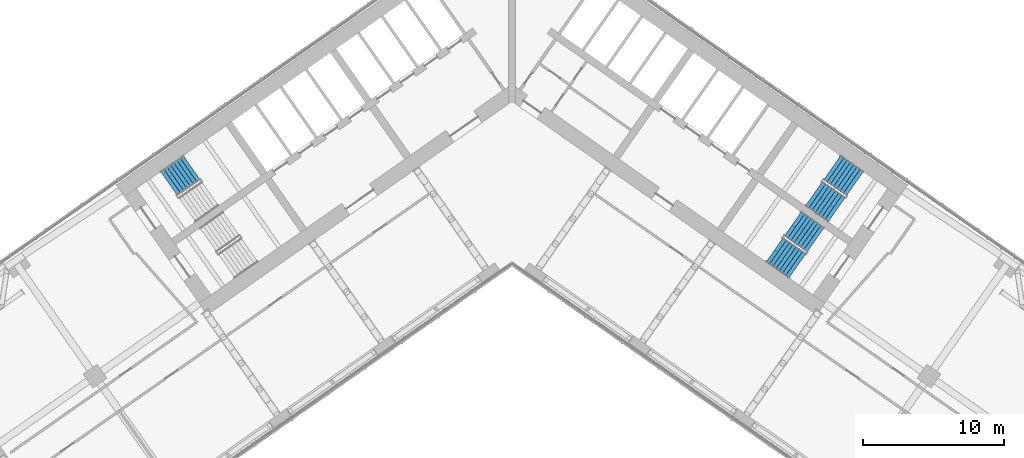
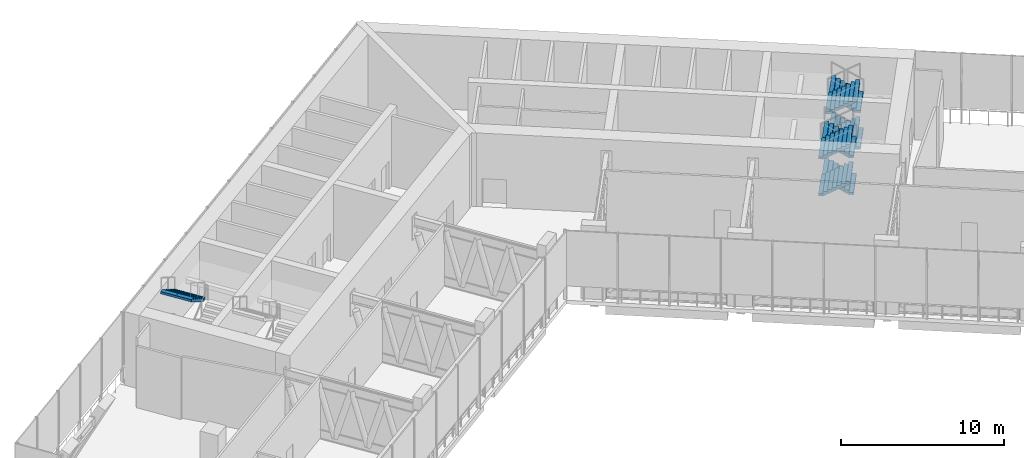
# One storey, part 8 of 24: 9 stair flights, 3 elements without a shape of their own.
"""IFC4 building model written with IfcOpenShell, lengths in metres."""

from ifc_helpers import new_model, si_unit, direction, frame, origin, place, context, subcontext, project, spatial, polyline, outline, extrude, material, type_object, element, aggregate, save


model = new_model("IFC4")

# Units and contexts
model_context = context("Model", 3, precision=1e-05, world=origin(), true_north=direction((0.0, 1.0)))
body_context = subcontext(model_context, "Body", "Model", "MODEL_VIEW")
ifc_project = project(units=[si_unit("LENGTHUNIT", "METRE"), si_unit("AREAUNIT", "SQUARE_METRE"), si_unit("VOLUMEUNIT", "CUBIC_METRE"), si_unit("PLANEANGLEUNIT", "RADIAN"), si_unit("MASSUNIT", "GRAM", prefix="KILO")], contexts=[model_context])

# Site, building, storey
site_placement = place(None, origin())
site = spatial("IfcSite", under=ifc_project, at=site_placement, CompositionType="ELEMENT")
building_placement = place(site_placement, origin())
building = spatial("IfcBuilding", under=site, at=building_placement, Name="Tel Ilan Convention Tower", CompositionType="ELEMENT")
storey_placement = place(building_placement, frame((0.0, 0.0, 126.5)))
storey = spatial("IfcBuildingStorey", under=building, at=storey_placement, Name="L28", CompositionType="ELEMENT", Elevation=126.5)

# Stair, stair flight
ifc_material_1 = material(Name="Concrete C40/50", Category="concrete")
stair_type = type_object("IfcStairType", Name="Pressurised Exit Stair 32 risers 172 mm", PredefinedType="HALF_TURN_STAIR", material=ifc_material_1)
stair_1_placement = place(storey_placement, origin())
stair_1 = element("IfcStair", 1, at=stair_1_placement, inside=storey, type_object=stair_type, Name="L28 Pressurised Stair S1", PredefinedType="HALF_TURN_STAIR")
ifc_material_2 = material(Name="Precast Concrete C40/50", Category="concrete")
stair_flight_type = type_object("IfcStairFlightType", Name="Concrete Stair Flight 2100 mm 32 risers 172 mm", PredefinedType="STRAIGHT", material=ifc_material_2)
stair_flight_1_placement = place(storey_placement, frame((-22.646728515625, -5.908203125, 4.125), z_axis=(0.0, 0.0, 1.0), x_axis=(-0.819152044289, -0.573576436351, 0.0)))
stair_flight_1 = element("IfcStairFlight", 2, at=stair_flight_1_placement, type_object=stair_flight_type, Name="S1 flight 4", NumberOfRisers=8, NumberOfTreads=7, PredefinedType="STRAIGHT", RiserHeight=0.171875, TreadLength=0.28, context=body_context, shape_type="SweptSolid", body=[
    extrude(outline(polyline([(0.0, 0.0), (0.0, 0.171875), (0.280029296875, 0.171875), (0.280029296875, 0.34375), (0.56005859375, 0.34375), (0.56005859375, 0.515625), (0.840087890625, 0.515625), (0.840087890625, 0.6875), (1.1201171875, 0.6875), (1.1201171875, 0.859375), (1.39990234375, 0.859375), (1.39990234375, 1.03125), (1.679931640625, 1.03125), (1.679931640625, 1.203125), (1.9599609375, 1.203125), (1.9599609375, 1.375), (1.9599609375, 1.02734375), (0.28662109375, 0.0), (0.0, 0.0)])), frame((0.0, -0.100341796875, 0.0), z_axis=(0.0, -1.0, 0.0), x_axis=(1.0, 0.0, 0.0)), (0.0, 0.0, 1.0), 0.94970703125),
    extrude(outline(polyline([(0.0, 0.0), (0.0, 0.171875), (0.280029296875, 0.171875), (0.280029296875, 0.34375), (0.56005859375, 0.34375), (0.56005859375, 0.515625), (0.840087890625, 0.515625), (0.840087890625, 0.6875), (1.1201171875, 0.6875), (1.1201171875, 0.859375), (1.39990234375, 0.859375), (1.39990234375, 1.03125), (1.679931640625, 1.03125), (1.679931640625, 1.203125), (1.9599609375, 1.203125), (1.9599609375, 1.375), (1.9599609375, 1.02734375), (0.28662109375, 0.0), (0.0, 0.0)])), frame((0.0, -0.000244140625, 0.0), z_axis=(0.0, -1.0, 0.0), x_axis=(1.0, 0.0, 0.0)), (0.0, 0.0, 1.0), 0.099609375),
    extrude(outline(polyline([(0.0, 0.0), (0.0, 0.171875), (0.280029296875, 0.171875), (0.280029296875, 0.34375), (0.56005859375, 0.34375), (0.56005859375, 0.515625), (0.840087890625, 0.515625), (0.840087890625, 0.6875), (1.1201171875, 0.6875), (1.1201171875, 0.859375), (1.39990234375, 0.859375), (1.39990234375, 1.03125), (1.679931640625, 1.03125), (1.679931640625, 1.203125), (1.9599609375, 1.203125), (1.9599609375, 1.375), (1.9599609375, 1.02734375), (0.28662109375, 0.0), (0.0, 0.0)])), frame((0.0, 0.099853515625, 0.0), z_axis=(0.0, -1.0, 0.0), x_axis=(1.0, 0.0, 0.0)), (0.0, 0.0, 1.0), 0.099609375),
    extrude(outline(polyline([(0.0, 0.0), (0.0, 0.171875), (0.280029296875, 0.171875), (0.280029296875, 0.34375), (0.56005859375, 0.34375), (0.56005859375, 0.515625), (0.840087890625, 0.515625), (0.840087890625, 0.6875), (1.1201171875, 0.6875), (1.1201171875, 0.859375), (1.39990234375, 0.859375), (1.39990234375, 1.03125), (1.679931640625, 1.03125), (1.679931640625, 1.203125), (1.9599609375, 1.203125), (1.9599609375, 1.375), (1.9599609375, 1.02734375), (0.28662109375, 0.0), (0.0, 0.0)])), frame((0.0, 1.050048828125, 0.0), z_axis=(0.0, -1.0, 0.0), x_axis=(1.0, 0.0, 0.0)), (0.0, 0.0, 1.0), 0.94970703125),
])
aggregate(stair_1, [stair_flight_1])

# Stair, stair flights
stair_2_placement = place(storey_placement, origin())
stair_2 = element("IfcStair", 3, at=stair_2_placement, inside=storey, type_object=stair_type, Name="L28 Pressurised Stair S3", PredefinedType="HALF_TURN_STAIR")
stair_flight_2_placement = place(storey_placement, frame((24.25244140625, -7.032470703125, 0.0), z_axis=(0.0, 0.0, 1.0), x_axis=(-0.819152044289, 0.573576436351, 0.0)))
stair_flight_2 = element("IfcStairFlight", 4, at=stair_flight_2_placement, type_object=stair_flight_type, Name="S3 flight 1", NumberOfRisers=8, NumberOfTreads=7, PredefinedType="STRAIGHT", RiserHeight=0.171875, TreadLength=0.28, context=body_context, shape_type="SweptSolid", body=[
    extrude(outline(polyline([(0.0, 0.0), (0.0, 0.171875), (0.280029296875, 0.171875), (0.280029296875, 0.34375), (0.56005859375, 0.34375), (0.56005859375, 0.515625), (0.840087890625, 0.515625), (0.840087890625, 0.6875), (1.1201171875, 0.6875), (1.1201171875, 0.859375), (1.39990234375, 0.859375), (1.39990234375, 1.03125), (1.679931640625, 1.03125), (1.679931640625, 1.203125), (1.9599609375, 1.203125), (1.9599609375, 1.375), (1.9599609375, 1.02734375), (0.28662109375, 0.0), (0.0, 0.0)])), frame((0.0, -0.100341796875, 0.0), z_axis=(0.0, -1.0, 0.0), x_axis=(1.0, 0.0, 0.0)), (0.0, 0.0, 1.0), 0.94970703125),
    extrude(outline(polyline([(0.0, 0.0), (0.0, 0.171875), (0.280029296875, 0.171875), (0.280029296875, 0.34375), (0.56005859375, 0.34375), (0.56005859375, 0.515625), (0.840087890625, 0.515625), (0.840087890625, 0.6875), (1.1201171875, 0.6875), (1.1201171875, 0.859375), (1.39990234375, 0.859375), (1.39990234375, 1.03125), (1.679931640625, 1.03125), (1.679931640625, 1.203125), (1.9599609375, 1.203125), (1.9599609375, 1.375), (1.9599609375, 1.02734375), (0.28662109375, 0.0), (0.0, 0.0)])), frame((0.0, -0.000244140625, 0.0), z_axis=(0.0, -1.0, 0.0), x_axis=(1.0, 0.0, 0.0)), (0.0, 0.0, 1.0), 0.099609375),
    extrude(outline(polyline([(0.0, 0.0), (0.0, 0.171875), (0.280029296875, 0.171875), (0.280029296875, 0.34375), (0.56005859375, 0.34375), (0.56005859375, 0.515625), (0.840087890625, 0.515625), (0.840087890625, 0.6875), (1.1201171875, 0.6875), (1.1201171875, 0.859375), (1.39990234375, 0.859375), (1.39990234375, 1.03125), (1.679931640625, 1.03125), (1.679931640625, 1.203125), (1.9599609375, 1.203125), (1.9599609375, 1.375), (1.9599609375, 1.02734375), (0.28662109375, 0.0), (0.0, 0.0)])), frame((0.0, 0.099853515625, 0.0), z_axis=(0.0, -1.0, 0.0), x_axis=(1.0, 0.0, 0.0)), (0.0, 0.0, 1.0), 0.099609375),
    extrude(outline(polyline([(0.0, 0.0), (0.0, 0.171875), (0.280029296875, 0.171875), (0.280029296875, 0.34375), (0.56005859375, 0.34375), (0.56005859375, 0.515625), (0.840087890625, 0.515625), (0.840087890625, 0.6875), (1.1201171875, 0.6875), (1.1201171875, 0.859375), (1.39990234375, 0.859375), (1.39990234375, 1.03125), (1.679931640625, 1.03125), (1.679931640625, 1.203125), (1.9599609375, 1.203125), (1.9599609375, 1.375), (1.9599609375, 1.02734375), (0.28662109375, 0.0), (0.0, 0.0)])), frame((0.0, 1.050048828125, 0.0), z_axis=(0.0, -1.0, 0.0), x_axis=(1.0, 0.0, 0.0)), (0.0, 0.0, 1.0), 0.94970703125),
])
stair_flight_3_placement = place(storey_placement, frame((21.356201171875, -7.751220703125, 1.375), z_axis=(0.0, 0.0, 1.0), x_axis=(0.819152044289, -0.573576436351, 0.0)))
stair_flight_3 = element("IfcStairFlight", 5, at=stair_flight_3_placement, type_object=stair_flight_type, Name="S3 flight 2", NumberOfRisers=8, NumberOfTreads=7, PredefinedType="STRAIGHT", RiserHeight=0.171875, TreadLength=0.28, context=body_context, shape_type="SweptSolid", body=[
    extrude(outline(polyline([(0.0, 0.0), (0.0, 0.171875), (0.280029296875, 0.171875), (0.280029296875, 0.34375), (0.56005859375, 0.34375), (0.56005859375, 0.515625), (0.840087890625, 0.515625), (0.840087890625, 0.6875), (1.1201171875, 0.6875), (1.1201171875, 0.859375), (1.39990234375, 0.859375), (1.39990234375, 1.03125), (1.679931640625, 1.03125), (1.679931640625, 1.203125), (1.9599609375, 1.203125), (1.9599609375, 1.375), (1.9599609375, 1.02734375), (0.28662109375, 0.0), (0.0, 0.0)])), frame((0.0, -0.100341796875, 0.0), z_axis=(0.0, -1.0, 0.0), x_axis=(1.0, 0.0, 0.0)), (0.0, 0.0, 1.0), 0.94970703125),
    extrude(outline(polyline([(0.0, 0.0), (0.0, 0.171875), (0.280029296875, 0.171875), (0.280029296875, 0.34375), (0.56005859375, 0.34375), (0.56005859375, 0.515625), (0.840087890625, 0.515625), (0.840087890625, 0.6875), (1.1201171875, 0.6875), (1.1201171875, 0.859375), (1.39990234375, 0.859375), (1.39990234375, 1.03125), (1.679931640625, 1.03125), (1.679931640625, 1.203125), (1.9599609375, 1.203125), (1.9599609375, 1.375), (1.9599609375, 1.02734375), (0.28662109375, 0.0), (0.0, 0.0)])), frame((0.0, -0.000244140625, 0.0), z_axis=(0.0, -1.0, 0.0), x_axis=(1.0, 0.0, 0.0)), (0.0, 0.0, 1.0), 0.099609375),
    extrude(outline(polyline([(0.0, 0.0), (0.0, 0.171875), (0.280029296875, 0.171875), (0.280029296875, 0.34375), (0.56005859375, 0.34375), (0.56005859375, 0.515625), (0.840087890625, 0.515625), (0.840087890625, 0.6875), (1.1201171875, 0.6875), (1.1201171875, 0.859375), (1.39990234375, 0.859375), (1.39990234375, 1.03125), (1.679931640625, 1.03125), (1.679931640625, 1.203125), (1.9599609375, 1.203125), (1.9599609375, 1.375), (1.9599609375, 1.02734375), (0.28662109375, 0.0), (0.0, 0.0)])), frame((0.0, 0.099853515625, 0.0), z_axis=(0.0, -1.0, 0.0), x_axis=(1.0, 0.0, 0.0)), (0.0, 0.0, 1.0), 0.099609375),
    extrude(outline(polyline([(0.0, 0.0), (0.0, 0.171875), (0.280029296875, 0.171875), (0.280029296875, 0.34375), (0.56005859375, 0.34375), (0.56005859375, 0.515625), (0.840087890625, 0.515625), (0.840087890625, 0.6875), (1.1201171875, 0.6875), (1.1201171875, 0.859375), (1.39990234375, 0.859375), (1.39990234375, 1.03125), (1.679931640625, 1.03125), (1.679931640625, 1.203125), (1.9599609375, 1.203125), (1.9599609375, 1.375), (1.9599609375, 1.02734375), (0.28662109375, 0.0), (0.0, 0.0)])), frame((0.0, 1.050048828125, 0.0), z_axis=(0.0, -1.0, 0.0), x_axis=(1.0, 0.0, 0.0)), (0.0, 0.0, 1.0), 0.94970703125),
])
stair_flight_4_placement = place(storey_placement, frame((24.25244140625, -7.032470703125, 2.75), z_axis=(0.0, 0.0, 1.0), x_axis=(-0.819152044289, 0.573576436351, 0.0)))
stair_flight_4 = element("IfcStairFlight", 6, at=stair_flight_4_placement, type_object=stair_flight_type, Name="S3 flight 3", NumberOfRisers=8, NumberOfTreads=7, PredefinedType="STRAIGHT", RiserHeight=0.171875, TreadLength=0.28, context=body_context, shape_type="SweptSolid", body=[
    extrude(outline(polyline([(0.0, 0.0), (0.0, 0.171875), (0.280029296875, 0.171875), (0.280029296875, 0.34375), (0.56005859375, 0.34375), (0.56005859375, 0.515625), (0.840087890625, 0.515625), (0.840087890625, 0.6875), (1.1201171875, 0.6875), (1.1201171875, 0.859375), (1.39990234375, 0.859375), (1.39990234375, 1.03125), (1.679931640625, 1.03125), (1.679931640625, 1.203125), (1.9599609375, 1.203125), (1.9599609375, 1.375), (1.9599609375, 1.02734375), (0.28662109375, 0.0), (0.0, 0.0)])), frame((0.0, -0.100341796875, 0.0), z_axis=(0.0, -1.0, 0.0), x_axis=(1.0, 0.0, 0.0)), (0.0, 0.0, 1.0), 0.94970703125),
    extrude(outline(polyline([(0.0, 0.0), (0.0, 0.171875), (0.280029296875, 0.171875), (0.280029296875, 0.34375), (0.56005859375, 0.34375), (0.56005859375, 0.515625), (0.840087890625, 0.515625), (0.840087890625, 0.6875), (1.1201171875, 0.6875), (1.1201171875, 0.859375), (1.39990234375, 0.859375), (1.39990234375, 1.03125), (1.679931640625, 1.03125), (1.679931640625, 1.203125), (1.9599609375, 1.203125), (1.9599609375, 1.375), (1.9599609375, 1.02734375), (0.28662109375, 0.0), (0.0, 0.0)])), frame((0.0, -0.000244140625, 0.0), z_axis=(0.0, -1.0, 0.0), x_axis=(1.0, 0.0, 0.0)), (0.0, 0.0, 1.0), 0.099609375),
    extrude(outline(polyline([(0.0, 0.0), (0.0, 0.171875), (0.280029296875, 0.171875), (0.280029296875, 0.34375), (0.56005859375, 0.34375), (0.56005859375, 0.515625), (0.840087890625, 0.515625), (0.840087890625, 0.6875), (1.1201171875, 0.6875), (1.1201171875, 0.859375), (1.39990234375, 0.859375), (1.39990234375, 1.03125), (1.679931640625, 1.03125), (1.679931640625, 1.203125), (1.9599609375, 1.203125), (1.9599609375, 1.375), (1.9599609375, 1.02734375), (0.28662109375, 0.0), (0.0, 0.0)])), frame((0.0, 0.099853515625, 0.0), z_axis=(0.0, -1.0, 0.0), x_axis=(1.0, 0.0, 0.0)), (0.0, 0.0, 1.0), 0.099609375),
    extrude(outline(polyline([(0.0, 0.0), (0.0, 0.171875), (0.280029296875, 0.171875), (0.280029296875, 0.34375), (0.56005859375, 0.34375), (0.56005859375, 0.515625), (0.840087890625, 0.515625), (0.840087890625, 0.6875), (1.1201171875, 0.6875), (1.1201171875, 0.859375), (1.39990234375, 0.859375), (1.39990234375, 1.03125), (1.679931640625, 1.03125), (1.679931640625, 1.203125), (1.9599609375, 1.203125), (1.9599609375, 1.375), (1.9599609375, 1.02734375), (0.28662109375, 0.0), (0.0, 0.0)])), frame((0.0, 1.050048828125, 0.0), z_axis=(0.0, -1.0, 0.0), x_axis=(1.0, 0.0, 0.0)), (0.0, 0.0, 1.0), 0.94970703125),
])
stair_flight_5_placement = place(storey_placement, frame((21.356201171875, -7.751220703125, 4.125), z_axis=(0.0, 0.0, 1.0), x_axis=(0.819152044289, -0.573576436351, 0.0)))
stair_flight_5 = element("IfcStairFlight", 7, at=stair_flight_5_placement, type_object=stair_flight_type, Name="S3 flight 4", NumberOfRisers=8, NumberOfTreads=7, PredefinedType="STRAIGHT", RiserHeight=0.171875, TreadLength=0.28, context=body_context, shape_type="SweptSolid", body=[
    extrude(outline(polyline([(0.0, 0.0), (0.0, 0.171875), (0.280029296875, 0.171875), (0.280029296875, 0.34375), (0.56005859375, 0.34375), (0.56005859375, 0.515625), (0.840087890625, 0.515625), (0.840087890625, 0.6875), (1.1201171875, 0.6875), (1.1201171875, 0.859375), (1.39990234375, 0.859375), (1.39990234375, 1.03125), (1.679931640625, 1.03125), (1.679931640625, 1.203125), (1.9599609375, 1.203125), (1.9599609375, 1.375), (1.9599609375, 1.02734375), (0.28662109375, 0.0), (0.0, 0.0)])), frame((0.0, -0.100341796875, 0.0), z_axis=(0.0, -1.0, 0.0), x_axis=(1.0, 0.0, 0.0)), (0.0, 0.0, 1.0), 0.94970703125),
    extrude(outline(polyline([(0.0, 0.0), (0.0, 0.171875), (0.280029296875, 0.171875), (0.280029296875, 0.34375), (0.56005859375, 0.34375), (0.56005859375, 0.515625), (0.840087890625, 0.515625), (0.840087890625, 0.6875), (1.1201171875, 0.6875), (1.1201171875, 0.859375), (1.39990234375, 0.859375), (1.39990234375, 1.03125), (1.679931640625, 1.03125), (1.679931640625, 1.203125), (1.9599609375, 1.203125), (1.9599609375, 1.375), (1.9599609375, 1.02734375), (0.28662109375, 0.0), (0.0, 0.0)])), frame((0.0, -0.000244140625, 0.0), z_axis=(0.0, -1.0, 0.0), x_axis=(1.0, 0.0, 0.0)), (0.0, 0.0, 1.0), 0.099609375),
    extrude(outline(polyline([(0.0, 0.0), (0.0, 0.171875), (0.280029296875, 0.171875), (0.280029296875, 0.34375), (0.56005859375, 0.34375), (0.56005859375, 0.515625), (0.840087890625, 0.515625), (0.840087890625, 0.6875), (1.1201171875, 0.6875), (1.1201171875, 0.859375), (1.39990234375, 0.859375), (1.39990234375, 1.03125), (1.679931640625, 1.03125), (1.679931640625, 1.203125), (1.9599609375, 1.203125), (1.9599609375, 1.375), (1.9599609375, 1.02734375), (0.28662109375, 0.0), (0.0, 0.0)])), frame((0.0, 0.099853515625, 0.0), z_axis=(0.0, -1.0, 0.0), x_axis=(1.0, 0.0, 0.0)), (0.0, 0.0, 1.0), 0.099609375),
    extrude(outline(polyline([(0.0, 0.0), (0.0, 0.171875), (0.280029296875, 0.171875), (0.280029296875, 0.34375), (0.56005859375, 0.34375), (0.56005859375, 0.515625), (0.840087890625, 0.515625), (0.840087890625, 0.6875), (1.1201171875, 0.6875), (1.1201171875, 0.859375), (1.39990234375, 0.859375), (1.39990234375, 1.03125), (1.679931640625, 1.03125), (1.679931640625, 1.203125), (1.9599609375, 1.203125), (1.9599609375, 1.375), (1.9599609375, 1.02734375), (0.28662109375, 0.0), (0.0, 0.0)])), frame((0.0, 1.050048828125, 0.0), z_axis=(0.0, -1.0, 0.0), x_axis=(1.0, 0.0, 0.0)), (0.0, 0.0, 1.0), 0.94970703125),
])
aggregate(stair_2, [stair_flight_2, stair_flight_3, stair_flight_4, stair_flight_5])

stair_3_placement = place(storey_placement, origin())
stair_3 = element("IfcStair", 8, at=stair_3_placement, inside=storey, type_object=stair_type, Name="L28 Pressurised Stair S4", PredefinedType="HALF_TURN_STAIR")
stair_flight_6_placement = place(storey_placement, frame((21.470458984375, -11.00537109375, 0.0), z_axis=(0.0, 0.0, 1.0), x_axis=(-0.819152044289, 0.573576436351, 0.0)))
stair_flight_6 = element("IfcStairFlight", 9, at=stair_flight_6_placement, type_object=stair_flight_type, Name="S4 flight 1", NumberOfRisers=8, NumberOfTreads=7, PredefinedType="STRAIGHT", RiserHeight=0.171875, TreadLength=0.28, context=body_context, shape_type="SweptSolid", body=[
    extrude(outline(polyline([(0.0, 0.0), (0.0, 0.171875), (0.280029296875, 0.171875), (0.280029296875, 0.34375), (0.56005859375, 0.34375), (0.56005859375, 0.515625), (0.840087890625, 0.515625), (0.840087890625, 0.6875), (1.1201171875, 0.6875), (1.1201171875, 0.859375), (1.39990234375, 0.859375), (1.39990234375, 1.03125), (1.679931640625, 1.03125), (1.679931640625, 1.203125), (1.9599609375, 1.203125), (1.9599609375, 1.375), (1.9599609375, 1.02734375), (0.28662109375, 0.0), (0.0, 0.0)])), frame((0.0, -0.100341796875, 0.0), z_axis=(0.0, -1.0, 0.0), x_axis=(1.0, 0.0, 0.0)), (0.0, 0.0, 1.0), 0.94970703125),
    extrude(outline(polyline([(0.0, 0.0), (0.0, 0.171875), (0.280029296875, 0.171875), (0.280029296875, 0.34375), (0.56005859375, 0.34375), (0.56005859375, 0.515625), (0.840087890625, 0.515625), (0.840087890625, 0.6875), (1.1201171875, 0.6875), (1.1201171875, 0.859375), (1.39990234375, 0.859375), (1.39990234375, 1.03125), (1.679931640625, 1.03125), (1.679931640625, 1.203125), (1.9599609375, 1.203125), (1.9599609375, 1.375), (1.9599609375, 1.02734375), (0.28662109375, 0.0), (0.0, 0.0)])), frame((0.0, -0.000244140625, 0.0), z_axis=(0.0, -1.0, 0.0), x_axis=(1.0, 0.0, 0.0)), (0.0, 0.0, 1.0), 0.099609375),
    extrude(outline(polyline([(0.0, 0.0), (0.0, 0.171875), (0.280029296875, 0.171875), (0.280029296875, 0.34375), (0.56005859375, 0.34375), (0.56005859375, 0.515625), (0.840087890625, 0.515625), (0.840087890625, 0.6875), (1.1201171875, 0.6875), (1.1201171875, 0.859375), (1.39990234375, 0.859375), (1.39990234375, 1.03125), (1.679931640625, 1.03125), (1.679931640625, 1.203125), (1.9599609375, 1.203125), (1.9599609375, 1.375), (1.9599609375, 1.02734375), (0.28662109375, 0.0), (0.0, 0.0)])), frame((0.0, 0.099853515625, 0.0), z_axis=(0.0, -1.0, 0.0), x_axis=(1.0, 0.0, 0.0)), (0.0, 0.0, 1.0), 0.099609375),
    extrude(outline(polyline([(0.0, 0.0), (0.0, 0.171875), (0.280029296875, 0.171875), (0.280029296875, 0.34375), (0.56005859375, 0.34375), (0.56005859375, 0.515625), (0.840087890625, 0.515625), (0.840087890625, 0.6875), (1.1201171875, 0.6875), (1.1201171875, 0.859375), (1.39990234375, 0.859375), (1.39990234375, 1.03125), (1.679931640625, 1.03125), (1.679931640625, 1.203125), (1.9599609375, 1.203125), (1.9599609375, 1.375), (1.9599609375, 1.02734375), (0.28662109375, 0.0), (0.0, 0.0)])), frame((0.0, 1.050048828125, 0.0), z_axis=(0.0, -1.0, 0.0), x_axis=(1.0, 0.0, 0.0)), (0.0, 0.0, 1.0), 0.94970703125),
])
stair_flight_7_placement = place(storey_placement, frame((18.574462890625, -11.72412109375, 1.375), z_axis=(0.0, 0.0, 1.0), x_axis=(0.819152044289, -0.573576436351, 0.0)))
stair_flight_7 = element("IfcStairFlight", 10, at=stair_flight_7_placement, type_object=stair_flight_type, Name="S4 flight 2", NumberOfRisers=8, NumberOfTreads=7, PredefinedType="STRAIGHT", RiserHeight=0.171875, TreadLength=0.28, context=body_context, shape_type="SweptSolid", body=[
    extrude(outline(polyline([(0.0, 0.0), (0.0, 0.171875), (0.280029296875, 0.171875), (0.280029296875, 0.34375), (0.56005859375, 0.34375), (0.56005859375, 0.515625), (0.840087890625, 0.515625), (0.840087890625, 0.6875), (1.1201171875, 0.6875), (1.1201171875, 0.859375), (1.39990234375, 0.859375), (1.39990234375, 1.03125), (1.679931640625, 1.03125), (1.679931640625, 1.203125), (1.9599609375, 1.203125), (1.9599609375, 1.375), (1.9599609375, 1.02734375), (0.28662109375, 0.0), (0.0, 0.0)])), frame((0.0, -0.100341796875, 0.0), z_axis=(0.0, -1.0, 0.0), x_axis=(1.0, 0.0, 0.0)), (0.0, 0.0, 1.0), 0.94970703125),
    extrude(outline(polyline([(0.0, 0.0), (0.0, 0.171875), (0.280029296875, 0.171875), (0.280029296875, 0.34375), (0.56005859375, 0.34375), (0.56005859375, 0.515625), (0.840087890625, 0.515625), (0.840087890625, 0.6875), (1.1201171875, 0.6875), (1.1201171875, 0.859375), (1.39990234375, 0.859375), (1.39990234375, 1.03125), (1.679931640625, 1.03125), (1.679931640625, 1.203125), (1.9599609375, 1.203125), (1.9599609375, 1.375), (1.9599609375, 1.02734375), (0.28662109375, 0.0), (0.0, 0.0)])), frame((0.0, -0.000244140625, 0.0), z_axis=(0.0, -1.0, 0.0), x_axis=(1.0, 0.0, 0.0)), (0.0, 0.0, 1.0), 0.099609375),
    extrude(outline(polyline([(0.0, 0.0), (0.0, 0.171875), (0.280029296875, 0.171875), (0.280029296875, 0.34375), (0.56005859375, 0.34375), (0.56005859375, 0.515625), (0.840087890625, 0.515625), (0.840087890625, 0.6875), (1.1201171875, 0.6875), (1.1201171875, 0.859375), (1.39990234375, 0.859375), (1.39990234375, 1.03125), (1.679931640625, 1.03125), (1.679931640625, 1.203125), (1.9599609375, 1.203125), (1.9599609375, 1.375), (1.9599609375, 1.02734375), (0.28662109375, 0.0), (0.0, 0.0)])), frame((0.0, 0.099853515625, 0.0), z_axis=(0.0, -1.0, 0.0), x_axis=(1.0, 0.0, 0.0)), (0.0, 0.0, 1.0), 0.099609375),
    extrude(outline(polyline([(0.0, 0.0), (0.0, 0.171875), (0.280029296875, 0.171875), (0.280029296875, 0.34375), (0.56005859375, 0.34375), (0.56005859375, 0.515625), (0.840087890625, 0.515625), (0.840087890625, 0.6875), (1.1201171875, 0.6875), (1.1201171875, 0.859375), (1.39990234375, 0.859375), (1.39990234375, 1.03125), (1.679931640625, 1.03125), (1.679931640625, 1.203125), (1.9599609375, 1.203125), (1.9599609375, 1.375), (1.9599609375, 1.02734375), (0.28662109375, 0.0), (0.0, 0.0)])), frame((0.0, 1.050048828125, 0.0), z_axis=(0.0, -1.0, 0.0), x_axis=(1.0, 0.0, 0.0)), (0.0, 0.0, 1.0), 0.94970703125),
])
stair_flight_8_placement = place(storey_placement, frame((21.470458984375, -11.00537109375, 2.75), z_axis=(0.0, 0.0, 1.0), x_axis=(-0.819152044289, 0.573576436351, 0.0)))
stair_flight_8 = element("IfcStairFlight", 11, at=stair_flight_8_placement, type_object=stair_flight_type, Name="S4 flight 3", NumberOfRisers=8, NumberOfTreads=7, PredefinedType="STRAIGHT", RiserHeight=0.171875, TreadLength=0.28, context=body_context, shape_type="SweptSolid", body=[
    extrude(outline(polyline([(0.0, 0.0), (0.0, 0.171875), (0.280029296875, 0.171875), (0.280029296875, 0.34375), (0.56005859375, 0.34375), (0.56005859375, 0.515625), (0.840087890625, 0.515625), (0.840087890625, 0.6875), (1.1201171875, 0.6875), (1.1201171875, 0.859375), (1.39990234375, 0.859375), (1.39990234375, 1.03125), (1.679931640625, 1.03125), (1.679931640625, 1.203125), (1.9599609375, 1.203125), (1.9599609375, 1.375), (1.9599609375, 1.02734375), (0.28662109375, 0.0), (0.0, 0.0)])), frame((0.0, -0.100341796875, 0.0), z_axis=(0.0, -1.0, 0.0), x_axis=(1.0, 0.0, 0.0)), (0.0, 0.0, 1.0), 0.94970703125),
    extrude(outline(polyline([(0.0, 0.0), (0.0, 0.171875), (0.280029296875, 0.171875), (0.280029296875, 0.34375), (0.56005859375, 0.34375), (0.56005859375, 0.515625), (0.840087890625, 0.515625), (0.840087890625, 0.6875), (1.1201171875, 0.6875), (1.1201171875, 0.859375), (1.39990234375, 0.859375), (1.39990234375, 1.03125), (1.679931640625, 1.03125), (1.679931640625, 1.203125), (1.9599609375, 1.203125), (1.9599609375, 1.375), (1.9599609375, 1.02734375), (0.28662109375, 0.0), (0.0, 0.0)])), frame((0.0, -0.000244140625, 0.0), z_axis=(0.0, -1.0, 0.0), x_axis=(1.0, 0.0, 0.0)), (0.0, 0.0, 1.0), 0.099609375),
    extrude(outline(polyline([(0.0, 0.0), (0.0, 0.171875), (0.280029296875, 0.171875), (0.280029296875, 0.34375), (0.56005859375, 0.34375), (0.56005859375, 0.515625), (0.840087890625, 0.515625), (0.840087890625, 0.6875), (1.1201171875, 0.6875), (1.1201171875, 0.859375), (1.39990234375, 0.859375), (1.39990234375, 1.03125), (1.679931640625, 1.03125), (1.679931640625, 1.203125), (1.9599609375, 1.203125), (1.9599609375, 1.375), (1.9599609375, 1.02734375), (0.28662109375, 0.0), (0.0, 0.0)])), frame((0.0, 0.099853515625, 0.0), z_axis=(0.0, -1.0, 0.0), x_axis=(1.0, 0.0, 0.0)), (0.0, 0.0, 1.0), 0.099609375),
    extrude(outline(polyline([(0.0, 0.0), (0.0, 0.171875), (0.280029296875, 0.171875), (0.280029296875, 0.34375), (0.56005859375, 0.34375), (0.56005859375, 0.515625), (0.840087890625, 0.515625), (0.840087890625, 0.6875), (1.1201171875, 0.6875), (1.1201171875, 0.859375), (1.39990234375, 0.859375), (1.39990234375, 1.03125), (1.679931640625, 1.03125), (1.679931640625, 1.203125), (1.9599609375, 1.203125), (1.9599609375, 1.375), (1.9599609375, 1.02734375), (0.28662109375, 0.0), (0.0, 0.0)])), frame((0.0, 1.050048828125, 0.0), z_axis=(0.0, -1.0, 0.0), x_axis=(1.0, 0.0, 0.0)), (0.0, 0.0, 1.0), 0.94970703125),
])
stair_flight_9_placement = place(storey_placement, frame((18.574462890625, -11.72412109375, 4.125), z_axis=(0.0, 0.0, 1.0), x_axis=(0.819152044289, -0.573576436351, 0.0)))
stair_flight_9 = element("IfcStairFlight", 12, at=stair_flight_9_placement, type_object=stair_flight_type, Name="S4 flight 4", NumberOfRisers=8, NumberOfTreads=7, PredefinedType="STRAIGHT", RiserHeight=0.171875, TreadLength=0.28, context=body_context, shape_type="SweptSolid", body=[
    extrude(outline(polyline([(0.0, 0.0), (0.0, 0.171875), (0.280029296875, 0.171875), (0.280029296875, 0.34375), (0.56005859375, 0.34375), (0.56005859375, 0.515625), (0.840087890625, 0.515625), (0.840087890625, 0.6875), (1.1201171875, 0.6875), (1.1201171875, 0.859375), (1.39990234375, 0.859375), (1.39990234375, 1.03125), (1.679931640625, 1.03125), (1.679931640625, 1.203125), (1.9599609375, 1.203125), (1.9599609375, 1.375), (1.9599609375, 1.02734375), (0.28662109375, 0.0), (0.0, 0.0)])), frame((0.0, -0.100341796875, 0.0), z_axis=(0.0, -1.0, 0.0), x_axis=(1.0, 0.0, 0.0)), (0.0, 0.0, 1.0), 0.94970703125),
    extrude(outline(polyline([(0.0, 0.0), (0.0, 0.171875), (0.280029296875, 0.171875), (0.280029296875, 0.34375), (0.56005859375, 0.34375), (0.56005859375, 0.515625), (0.840087890625, 0.515625), (0.840087890625, 0.6875), (1.1201171875, 0.6875), (1.1201171875, 0.859375), (1.39990234375, 0.859375), (1.39990234375, 1.03125), (1.679931640625, 1.03125), (1.679931640625, 1.203125), (1.9599609375, 1.203125), (1.9599609375, 1.375), (1.9599609375, 1.02734375), (0.28662109375, 0.0), (0.0, 0.0)])), frame((0.0, -0.000244140625, 0.0), z_axis=(0.0, -1.0, 0.0), x_axis=(1.0, 0.0, 0.0)), (0.0, 0.0, 1.0), 0.099609375),
    extrude(outline(polyline([(0.0, 0.0), (0.0, 0.171875), (0.280029296875, 0.171875), (0.280029296875, 0.34375), (0.56005859375, 0.34375), (0.56005859375, 0.515625), (0.840087890625, 0.515625), (0.840087890625, 0.6875), (1.1201171875, 0.6875), (1.1201171875, 0.859375), (1.39990234375, 0.859375), (1.39990234375, 1.03125), (1.679931640625, 1.03125), (1.679931640625, 1.203125), (1.9599609375, 1.203125), (1.9599609375, 1.375), (1.9599609375, 1.02734375), (0.28662109375, 0.0), (0.0, 0.0)])), frame((0.0, 0.099853515625, 0.0), z_axis=(0.0, -1.0, 0.0), x_axis=(1.0, 0.0, 0.0)), (0.0, 0.0, 1.0), 0.099609375),
    extrude(outline(polyline([(0.0, 0.0), (0.0, 0.171875), (0.280029296875, 0.171875), (0.280029296875, 0.34375), (0.56005859375, 0.34375), (0.56005859375, 0.515625), (0.840087890625, 0.515625), (0.840087890625, 0.6875), (1.1201171875, 0.6875), (1.1201171875, 0.859375), (1.39990234375, 0.859375), (1.39990234375, 1.03125), (1.679931640625, 1.03125), (1.679931640625, 1.203125), (1.9599609375, 1.203125), (1.9599609375, 1.375), (1.9599609375, 1.02734375), (0.28662109375, 0.0), (0.0, 0.0)])), frame((0.0, 1.050048828125, 0.0), z_axis=(0.0, -1.0, 0.0), x_axis=(1.0, 0.0, 0.0)), (0.0, 0.0, 1.0), 0.94970703125),
])
aggregate(stair_3, [stair_flight_6, stair_flight_7, stair_flight_8, stair_flight_9])

save(model, "model.ifc")
